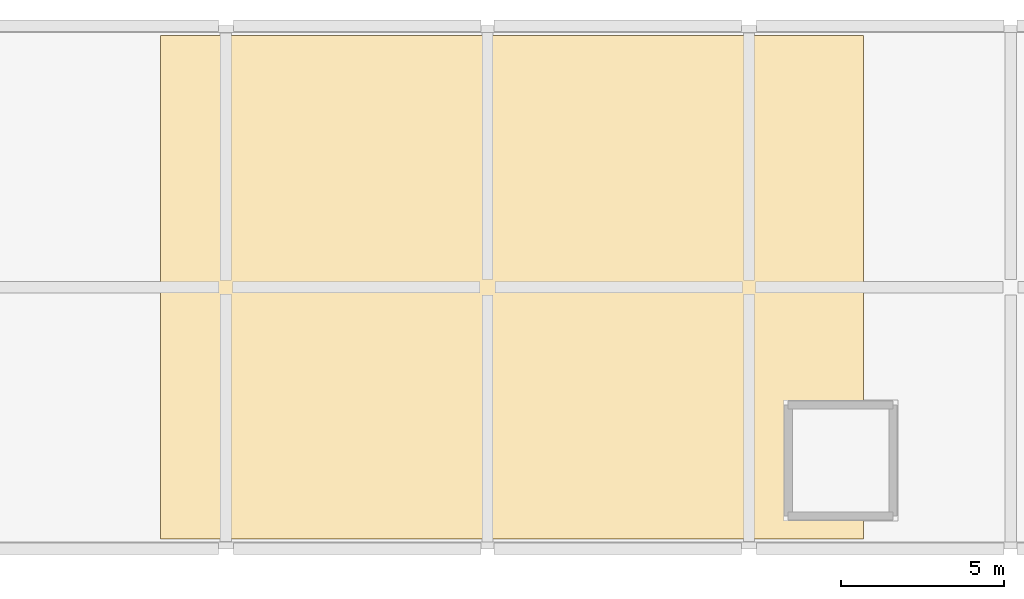
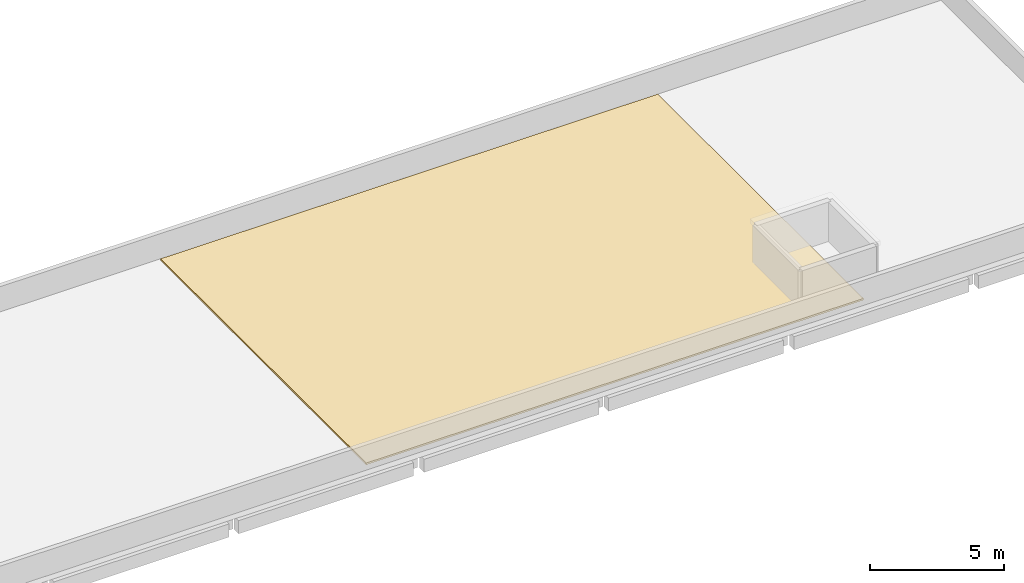
# One storey, part 2 of 2: 1 covering.
"""IFC4 building model written with IfcOpenShell, lengths in metres."""

import ifcopenshell
import ifcopenshell.guid

model = None  # the IFC model being written
_history = None  # IfcOwnerHistory: only IFC2X3 demands one
_inside = {}  # id of a spatial element -> (the spatial element, [elements in it])
_under = {}  # id of a project, library or spatial element -> (it, [spatial elements below it])
_declared = {}  # id of a project -> (the project, [libraries it declares])
_typed = {}  # id of a type object -> (the type object, [elements of that type])
_made_of = {}  # id of a material, layer set ... -> (it, [elements and type objects made of it])


def new_model(schema):
    """Start an empty IFC model of exactly this schema.

    Asked for "IFC4X3", IfcOpenShell would pick the latest addendum, in which some entities
    have other attributes; the version numbers below select the first issue.
    IFC2X3 requires an IfcOwnerHistory on every rooted entity: one is made here for all.
    """
    global model, _history
    if schema == "IFC4X3":
        model = ifcopenshell.file(schema_version=(4, 3, 0, 0))
    else:
        model = ifcopenshell.file(schema=schema)
    _inside.clear()
    _under.clear()
    _declared.clear()
    _typed.clear()
    _made_of.clear()
    _history = None
    if model.schema == "IFC2X3":
        org = make("IfcOrganization", Name="unknown")
        user = make(
            "IfcPersonAndOrganization",
            ThePerson=make("IfcPerson", FamilyName="unknown"),
            TheOrganization=org,
        )
        app = make(
            "IfcApplication",
            ApplicationDeveloper=org,
            Version="unknown",
            ApplicationFullName="unknown",
            ApplicationIdentifier="unknown",
        )
        _history = make(
            "IfcOwnerHistory",
            OwningUser=user,
            OwningApplication=app,
            ChangeAction="ADDED",
            CreationDate=0,
        )
    return model


def make(cls, **values):
    """One entity of the class cls with the attributes given. An attribute that is None is left unset."""
    return model.create_entity(
        cls, **{name: value for name, value in values.items() if value is not None}
    )


def rooted(cls, **values):
    """An entity with a GlobalId (a new one), such as an element, a storey or a relation."""
    return make(cls, GlobalId=ifcopenshell.guid.new(), OwnerHistory=_history, **values)


def si_unit(unit_type, name, prefix=None):
    """IfcSIUnit, for example si_unit("LENGTHUNIT", "METRE", prefix="MILLI")."""
    return make("IfcSIUnit", UnitType=unit_type, Prefix=prefix, Name=name)


def assignment(units):
    """IfcUnitAssignment: the units of a project."""
    return None if units is None else make("IfcUnitAssignment", Units=units)


def point(xyz):
    """IfcCartesianPoint."""
    return None if xyz is None else make("IfcCartesianPoint", Coordinates=xyz)


def direction(xyz):
    """IfcDirection."""
    return None if xyz is None else make("IfcDirection", DirectionRatios=xyz)


def frame(location, z_axis=None, x_axis=None):
    """IfcAxis2Placement3D, a coordinate frame: its origin and axes. An axis left out is left unset."""
    return make(
        "IfcAxis2Placement3D",
        Location=point(location),
        Axis=direction(z_axis),
        RefDirection=direction(x_axis),
    )


def origin():
    """The frame at (0, 0, 0) with its axes left unset."""
    return frame((0.0, 0.0, 0.0))


def place(relative_to, where):
    """IfcLocalPlacement: puts the frame where relative to a parent placement (None: the world)."""
    return make(
        "IfcLocalPlacement", PlacementRelTo=relative_to, RelativePlacement=where
    )


def context(
    kind, dimensions, precision=None, world=None, true_north=None, identifier=None
):
    """IfcGeometricRepresentationContext, for example the 3D "Model" context."""
    return make(
        "IfcGeometricRepresentationContext",
        ContextIdentifier=identifier,
        ContextType=kind,
        CoordinateSpaceDimension=dimensions,
        Precision=precision,
        WorldCoordinateSystem=world,
        TrueNorth=true_north,
    )


def subcontext(parent, identifier, kind, view, scale=None):
    """IfcGeometricRepresentationSubContext, for example "Body" below "Model"."""
    return make(
        "IfcGeometricRepresentationSubContext",
        ContextIdentifier=identifier,
        ContextType=kind,
        ParentContext=parent,
        TargetScale=scale,
        TargetView=view,
    )


def project(units=None, contexts=None):
    """IfcProject with its units and contexts."""
    return rooted(
        "IfcProject",
        Name="project",
        RepresentationContexts=contexts,
        UnitsInContext=assignment(units),
    )


def spatial(cls, under=None, at=None, **own):
    """A site, building, storey or space (cls), placed at a placement, below another one or the project."""
    s = rooted(cls, ObjectPlacement=at, **own)
    if under is not None:
        _under.setdefault(under.id(), (under, []))[1].append(s)
    return s


def polyline(points):
    """IfcPolyline through the points."""
    return make("IfcPolyline", Points=[point(p) for p in points])


def outline(outer, holes=None, kind="AREA"):
    """IfcArbitraryClosedProfileDef: a profile drawn as a closed curve; with holes, ...WithVoids."""
    if holes is None:
        return make("IfcArbitraryClosedProfileDef", ProfileType=kind, OuterCurve=outer)
    return make(
        "IfcArbitraryProfileDefWithVoids",
        ProfileType=kind,
        OuterCurve=outer,
        InnerCurves=holes,
    )


def extrude(swept, where, along, depth):
    """IfcExtrudedAreaSolid: the profile swept, set in the frame where, extruded along a direction by depth."""
    return make(
        "IfcExtrudedAreaSolid",
        SweptArea=swept,
        Position=where,
        ExtrudedDirection=direction(along),
        Depth=depth,
    )


def shape(context_of_items, identifier, shape_type, items):
    """IfcShapeRepresentation: the items that make up one representation, for example the "Body"."""
    return make(
        "IfcShapeRepresentation",
        ContextOfItems=context_of_items,
        RepresentationIdentifier=identifier,
        RepresentationType=shape_type,
        Items=items,
    )


def material(Name=None, Category=None):
    """IfcMaterial."""
    return make("IfcMaterial", Name=Name, Category=Category)


def layer(
    of_material, thickness, ventilated=None, Name=None, Category=None, Priority=None
):
    """IfcMaterialLayer: one layer of a wall or slab, of a material (None: an air gap)."""
    return make(
        "IfcMaterialLayer",
        Material=of_material,
        LayerThickness=thickness,
        IsVentilated=ventilated,
        Name=Name,
        Category=Category,
        Priority=Priority,
    )


def layer_set(layers, Name=None):
    """IfcMaterialLayerSet."""
    return make("IfcMaterialLayerSet", MaterialLayers=layers, LayerSetName=Name)


def made_of(thing, what):
    """Note that an element or type object is made of a material, layer set ...; save() writes the relation."""
    if what is not None:
        _made_of.setdefault(what.id(), (what, []))[1].append(thing)
    return thing


def type_object(cls, material=None, **own):
    """A type object (cls), such as IfcWallType, which elements share."""
    return made_of(rooted(cls, **own), material)


def element(
    cls,
    number,
    at=None,
    inside=None,
    cuts=None,
    type_object=None,
    material=None,
    context=None,
    identifier="Body",
    shape_type=None,
    held_by="IfcProductDefinitionShape",
    body=None,
    shapes=None,
    **own,
):
    """One element of the class cls, such as IfcWall. Its Tag is "e" and its number.

    at: its placement. inside: the storey or other place that contains it. cuts: it is an
    opening in that element (IfcRelVoidsElement). A single representation is given by context,
    identifier, shape_type and body (its items); several are given by shapes. held_by: the class
    of the entity that holds the representations. save() writes the other relations.
    """
    e = rooted(cls, Tag="e%d" % number, ObjectPlacement=at, **own)
    if body is not None:
        shapes = [shape(context, identifier, shape_type, body)]
    if shapes is not None:
        e.Representation = make(held_by, Representations=shapes)
    if inside is not None:
        _inside.setdefault(inside.id(), (inside, []))[1].append(e)
    if cuts is not None:
        rooted(
            "IfcRelVoidsElement", RelatingBuildingElement=cuts, RelatedOpeningElement=e
        )
    if type_object is not None:
        _typed.setdefault(type_object.id(), (type_object, []))[1].append(e)
    return made_of(e, material)


def aggregate(whole, parts):
    """IfcRelAggregates: a whole, such as a stair, and the parts it consists of."""
    return rooted("IfcRelAggregates", RelatingObject=whole, RelatedObjects=parts)


def save(model, path):
    """Write the relations noted so far, then the file.

    IfcRelAggregates (storeys below a building ...), IfcRelContainedInSpatialStructure (elements
    in a storey), IfcRelDefinesByType, IfcRelAssociatesMaterial and IfcRelDeclares: one each for
    every whole, place, type object, material and project.
    """
    for whole, parts in _under.values():
        aggregate(whole, parts)
    for where, things in _inside.values():
        rooted(
            "IfcRelContainedInSpatialStructure",
            RelatedElements=things,
            RelatingStructure=where,
        )
    for kind, things in _typed.values():
        rooted("IfcRelDefinesByType", RelatedObjects=things, RelatingType=kind)
    for what, things in _made_of.values():
        rooted("IfcRelAssociatesMaterial", RelatedObjects=things, RelatingMaterial=what)
    for by, libraries in _declared.values():
        rooted("IfcRelDeclares", RelatingContext=by, RelatedDefinitions=libraries)
    model.write(path)


model = new_model("IFC4")

# Units and contexts
model_context = context("Model", 3, precision=1e-05, world=origin(), true_north=direction((0.0, 1.0)))
body_context = subcontext(model_context, "Body", "Model", "MODEL_VIEW")
ifc_project = project(units=[si_unit("LENGTHUNIT", "METRE"), si_unit("AREAUNIT", "SQUARE_METRE"), si_unit("VOLUMEUNIT", "CUBIC_METRE"), si_unit("PLANEANGLEUNIT", "RADIAN"), si_unit("MASSUNIT", "GRAM", prefix="KILO")], contexts=[model_context])

# Site, building, storey
site_placement = place(None, origin())
site = spatial("IfcSite", under=ifc_project, at=site_placement, CompositionType="ELEMENT")
building_placement = place(site_placement, origin())
building = spatial("IfcBuilding", under=site, at=building_placement, Name="Jelvoka-Kovrelna Polytechnic", CompositionType="ELEMENT")
storey_placement = place(building_placement, frame((0.0, 0.0, 34.800048828125)))
storey = spatial("IfcBuildingStorey", under=building, at=storey_placement, Name="RF", CompositionType="ELEMENT", Elevation=34.800048828125)

# Covering
ifc_material = material(Name="Insulated elastomeric waterproofing membrane")
ifc_layer = layer(ifc_material, 0.080078125)
ifc_layer_set = layer_set([ifc_layer], Name="Insulated elastomeric waterproofing membrane")
covering_type = type_object("IfcCoveringType", Name="Covering_Roof_Membrane_80", PredefinedType="ROOFING", material=ifc_layer_set)
covering_placement = place(storey_placement, origin())
element("IfcCovering", 1, at=covering_placement, inside=storey, type_object=covering_type, Name="RF insulated roof membrane COV-ROOF-RF-B3", PredefinedType="ROOFING", context=body_context, shape_type="SweptSolid", body=[
    extrude(outline(polyline([(150.0, 56.300048828125), (171.5, 56.300048828125), (171.5, 71.699951171875), (150.0, 71.699951171875), (150.0, 56.300048828125)])), origin(), (0.0, 0.0, 1.0), 0.079833984375),
])

save(model, "model.ifc")
